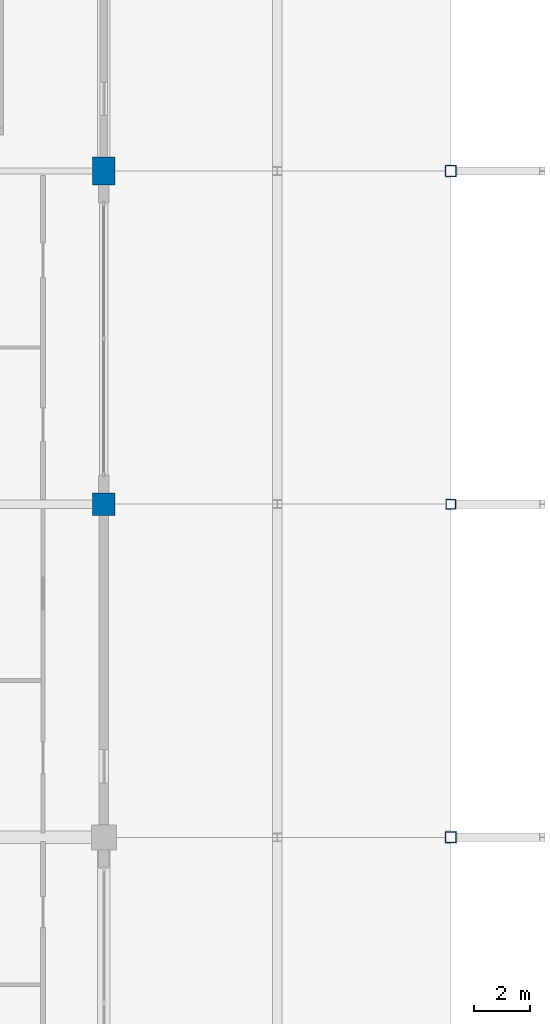
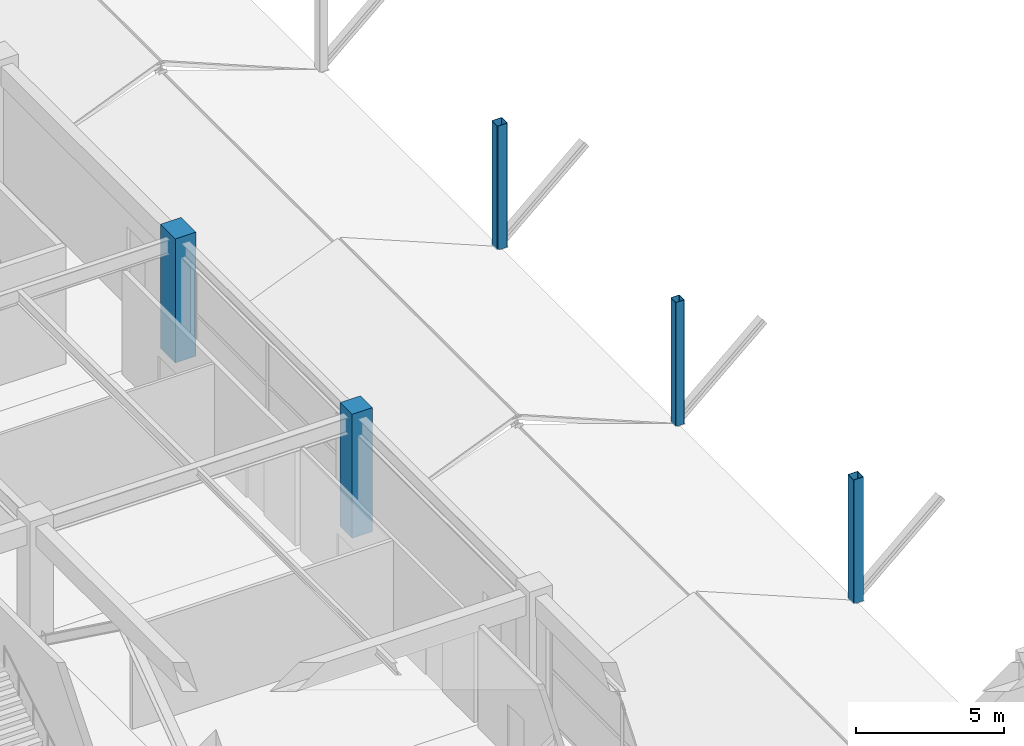
# One storey, part 2 of 116: 5 columns.
"""IFC4 building model written with IfcOpenShell, lengths in metres."""

from ifc_helpers import new_model, si_unit, direction, frame, origin, origin_2d, place, context, subcontext, project, spatial, rectangle, hollow_rectangle, extrude, material, material_profile, profile_set, type_object, element, save


model = new_model("IFC4")

# Units and contexts
model_context = context("Model", 3, precision=1e-05, world=origin(), true_north=direction((0.0, 1.0)))
body_context = subcontext(model_context, "Body", "Model", "MODEL_VIEW")
ifc_project = project(units=[si_unit("LENGTHUNIT", "METRE"), si_unit("AREAUNIT", "SQUARE_METRE"), si_unit("VOLUMEUNIT", "CUBIC_METRE"), si_unit("PLANEANGLEUNIT", "RADIAN"), si_unit("MASSUNIT", "GRAM", prefix="KILO")], contexts=[model_context])

# Site, building, storey
site_placement = place(None, origin())
site = spatial("IfcSite", under=ifc_project, at=site_placement, CompositionType="ELEMENT")
building_placement = place(site_placement, origin())
building = spatial("IfcBuilding", under=site, at=building_placement, Name="Kazenohara Klinker Stadium", CompositionType="ELEMENT")
storey_placement = place(building_placement, frame((0.0, 0.0, 10.199951171875)))
storey = spatial("IfcBuildingStorey", under=building, at=storey_placement, Name="L02", CompositionType="ELEMENT", Elevation=10.199951171875)

# Columns
ifc_material_1 = material(Name="Concrete C40/50", Category="concrete")
ifc_material_profile_1 = material_profile(ifc_material_1, rectangle(XDim=0.800048828125, YDim=1.0, at=origin_2d()), Name="RC-COL-1000x800")
ifc_profile_set_1 = profile_set([ifc_material_profile_1], Name="Concrete C40/50")
column_type_1 = type_object("IfcColumnType", Name="COL-RC03", PredefinedType="COLUMN", material=ifc_profile_set_1)
column_1_placement = place(storey_placement, frame((36.5, 72.0, 0.0), z_axis=(0.0, 0.0, 1.0), x_axis=(1.0, 0.0, 0.0)))
element("IfcColumn", 1, at=column_1_placement, inside=storey, type_object=column_type_1, Name="Column C03 L02 4/G", PredefinedType="COLUMN", context=body_context, shape_type="SweptSolid", body=[
    extrude(rectangle(XDim=0.800048828125, YDim=1.0, at=origin_2d()), origin(), (0.0, 0.0, 1.0), 5.10009765625),
])
ifc_material_profile_2 = material_profile(ifc_material_1, rectangle(XDim=0.800048828125, YDim=0.800048828125, at=origin_2d()), Name="RC-COL-800x800")
ifc_profile_set_2 = profile_set([ifc_material_profile_2], Name="Concrete C40/50")
column_type_2 = type_object("IfcColumnType", Name="COL-RC05", PredefinedType="COLUMN", material=ifc_profile_set_2)
column_2_placement = place(storey_placement, frame((36.5, 60.0, 0.0), z_axis=(0.0, 0.0, 1.0), x_axis=(1.0, 0.0, 0.0)))
element("IfcColumn", 2, at=column_2_placement, inside=storey, type_object=column_type_2, Name="Column C05 L02 4/F", PredefinedType="COLUMN", context=body_context, shape_type="SweptSolid", body=[
    extrude(rectangle(XDim=0.800048828125, YDim=0.800048828125, at=origin_2d()), origin(), (0.0, 0.0, 1.0), 5.10009765625),
])
ifc_material_2 = material(Name="Steel S355", Category="steel")
ifc_material_profile_3 = material_profile(ifc_material_2, hollow_rectangle(XDim=0.39990234375, YDim=0.39990234375, WallThickness=0.01611328125, InnerFilletRadius=0.01611328125, OuterFilletRadius=0.031982421875, at=origin_2d()), Name="SHS-400x400x16")
ifc_profile_set_3 = profile_set([ifc_material_profile_3], Name="Steel S355")
column_type_3 = type_object("IfcColumnType", Name="COL-ST01", PredefinedType="COLUMN", material=ifc_profile_set_3)
for number, where, z_axis, x_axis, name in (
    (3, (49.0, 48.0, 0.0), (0.0, 0.0, 1.0), (1.0, 0.0, 0.0), "Canopy ring support column SC01 L02 5/E"),
    (4, (49.0, 72.0, 0.0), (0.0, 0.0, 1.0), (1.0, 0.0, 0.0), "Canopy ring support column SC01 L02 5/G"),
):
    element("IfcColumn", number, at=place(storey_placement, frame(where, z_axis=z_axis, x_axis=x_axis)), inside=storey, type_object=column_type_3, Name=name, PredefinedType="COLUMN", context=body_context, shape_type="SweptSolid", body=[
        extrude(hollow_rectangle(XDim=0.39990234375, YDim=0.39990234375, WallThickness=0.01611328125, InnerFilletRadius=0.01611328125, OuterFilletRadius=0.031982421875, at=origin_2d()), origin(), (0.0, 0.0, 1.0), 5.10009765625),
    ])
ifc_material_profile_4 = material_profile(ifc_material_2, hollow_rectangle(XDim=0.35009765625, YDim=0.35009765625, WallThickness=0.01611328125, InnerFilletRadius=0.01611328125, OuterFilletRadius=0.031982421875, at=origin_2d()), Name="SHS-350x350x16")
ifc_profile_set_4 = profile_set([ifc_material_profile_4], Name="Steel S355")
column_type_4 = type_object("IfcColumnType", Name="COL-ST02", PredefinedType="COLUMN", material=ifc_profile_set_4)
column_3_placement = place(storey_placement, frame((49.0, 60.0, 0.0), z_axis=(0.0, 0.0, 1.0), x_axis=(1.0, 0.0, 0.0)))
element("IfcColumn", 5, at=column_3_placement, inside=storey, type_object=column_type_4, Name="Canopy ring support column SC02 L02 5/F", PredefinedType="COLUMN", context=body_context, shape_type="SweptSolid", body=[
    extrude(hollow_rectangle(XDim=0.35009765625, YDim=0.35009765625, WallThickness=0.01611328125, InnerFilletRadius=0.01611328125, OuterFilletRadius=0.031982421875, at=origin_2d()), origin(), (0.0, 0.0, 1.0), 5.10009765625),
])

save(model, "model.ifc")
